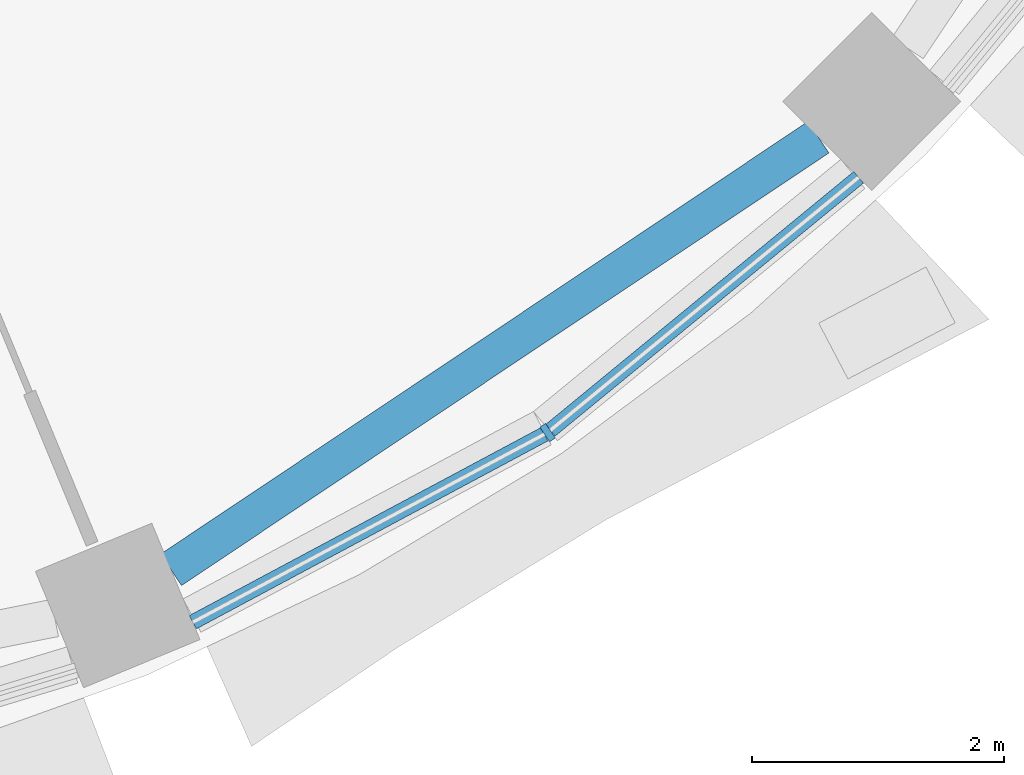
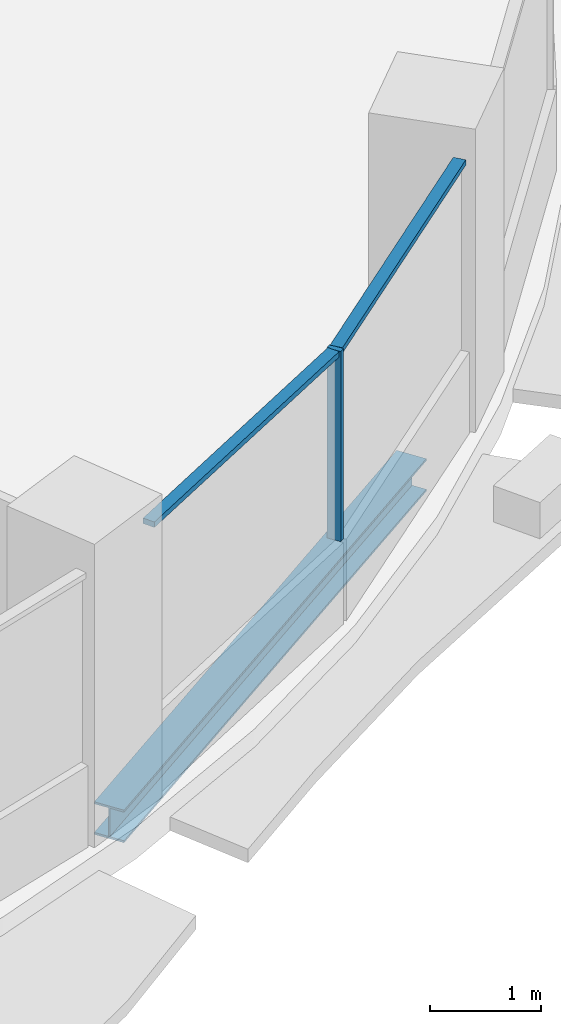
# One storey, part 3 of 15: 3 members, 1 beam, 1 element without a shape of its own.
"""IFC4 building model written with IfcOpenShell, lengths in metres."""

from ifc_helpers import new_model, si_unit, direction, frame, origin, origin_2d, place, context, subcontext, project, spatial, rectangle, i_section, extrude, material, material_profile, profile_set, type_object, element, aggregate, save


model = new_model("IFC4")

# Units and contexts
model_context = context("Model", 3, precision=1e-05, world=origin(), true_north=direction((0.0, 1.0)))
body_context = subcontext(model_context, "Body", "Model", "MODEL_VIEW")
ifc_project = project(units=[si_unit("LENGTHUNIT", "METRE"), si_unit("AREAUNIT", "SQUARE_METRE"), si_unit("VOLUMEUNIT", "CUBIC_METRE"), si_unit("PLANEANGLEUNIT", "RADIAN"), si_unit("MASSUNIT", "GRAM", prefix="KILO")], contexts=[model_context])

# Site, building, storey
site_placement = place(None, origin())
site = spatial("IfcSite", under=ifc_project, at=site_placement, CompositionType="ELEMENT")
building_placement = place(site_placement, origin())
building = spatial("IfcBuilding", under=site, at=building_placement, Name="Polderwave Tower", CompositionType="ELEMENT")
storey_placement = place(building_placement, frame((0.0, 0.0, 127.64990234375)))
storey = spatial("IfcBuildingStorey", under=building, at=storey_placement, Name="L33", CompositionType="ELEMENT", Elevation=127.64990234375)

# Curtain wall, members
ifc_material_1 = material(Name="Aluminium 6063-T6 and glass", Category="aluminium")
curtain_wall_type = type_object("IfcCurtainWallType", Name="Office ribbon glazing wall", PredefinedType="NOTDEFINED", material=ifc_material_1)
curtain_wall_placement = place(storey_placement, origin())
curtain_wall = element("IfcCurtainWall", 1, at=curtain_wall_placement, inside=storey, type_object=curtain_wall_type, Name="CW3 L33 13", PredefinedType="NOTDEFINED")
ifc_material_2 = material(Name="Aluminium 6063-T6", Category="aluminium")
ifc_material_profile_1 = material_profile(ifc_material_2, rectangle(XDim=0.139892578125, YDim=0.054931640625, at=origin_2d()), Name="AL 55x140")
ifc_profile_set_1 = profile_set([ifc_material_profile_1], Name="Aluminium 6063-T6")
member_type_1 = type_object("IfcMemberType", Name="Office ribbon glazing mullion 55x140", PredefinedType="MULLION", material=ifc_profile_set_1)
member_1_placement = place(storey_placement, frame((10.47802734375, -15.681884765625, 0.900146484375), z_axis=(0.0, 0.0, 1.0), x_axis=(-0.555594902975, 0.831453127836, 0.0)))
member_1 = element("IfcMember", 2, at=member_1_placement, type_object=member_type_1, Name="CW3 mullion 1", PredefinedType="MULLION", context=body_context, shape_type="SweptSolid", body=[
    extrude(rectangle(XDim=0.139892578125, YDim=0.054931640625, at=origin_2d()), origin(), (0.0, 0.0, 1.0), 2.099853515625),
])
ifc_material_profile_2 = material_profile(ifc_material_2, rectangle(XDim=0.1201171875, YDim=0.06005859375, at=origin_2d()), Name="AL 60x120")
ifc_profile_set_2 = profile_set([ifc_material_profile_2], Name="Aluminium 6063-T6")
member_type_2 = type_object("IfcMemberType", Name="Office ribbon glazing transom 60x120", PredefinedType="USERDEFINED", material=ifc_profile_set_2)
member_2_placement = place(storey_placement, frame((7.660888671875, -17.18798828125, 2.97021484375), z_axis=(0.881897958208, 0.471440336956, 0.0), x_axis=(-0.471440336956, 0.881897958208, 0.0)))
member_2 = element("IfcMember", 3, at=member_2_placement, type_object=member_type_2, Name="CW3 transom 1", ObjectType="TRANSOM", PredefinedType="USERDEFINED", context=body_context, shape_type="SweptSolid", body=[
    extrude(rectangle(XDim=0.1201171875, YDim=0.06005859375, at=origin_2d()), origin(), (0.0, 0.0, 1.0), 3.166748046875),
])
member_3_placement = place(storey_placement, frame((10.499267578125, -15.66455078125, 2.97021484375), z_axis=(0.773025883871, 0.634374481569, 0.0), x_axis=(-0.634374481569, 0.773025883871, 0.0)))
member_3 = element("IfcMember", 4, at=member_3_placement, type_object=member_type_2, Name="CW3 transom 2", ObjectType="TRANSOM", PredefinedType="USERDEFINED", context=body_context, shape_type="SweptSolid", body=[
    extrude(rectangle(XDim=0.1201171875, YDim=0.06005859375, at=origin_2d()), origin(), (0.0, 0.0, 1.0), 3.167724609375),
])
aggregate(curtain_wall, [member_1, member_2, member_3])

# Beam
ifc_material_3 = material(Name="Steel S355", Category="steel")
ifc_material_profile_3 = material_profile(ifc_material_3, i_section(OverallWidth=0.300048828125, OverallDepth=0.360107421875, WebThickness=0.012451171875, FlangeThickness=0.0224609375, at=origin_2d()), Name="HE 360 B")
ifc_profile_set_3 = profile_set([ifc_material_profile_3], Name="Steel S355")
beam_type = type_object("IfcBeamType", Name="RING BEAM HE 360 B", PredefinedType="BEAM", material=ifc_profile_set_3)
beam_placement = place(storey_placement, frame((7.48828125, -16.771484375, -0.52978515625), z_axis=(0.831478837086, 0.555556426907, 0.0), x_axis=(-0.555556426907, 0.831478837086, 0.0)))
element("IfcBeam", 5, at=beam_placement, inside=storey, type_object=beam_type, Name="ST-RB-L33-13", PredefinedType="BEAM", context=body_context, shape_type="SweptSolid", body=[
    extrude(i_section(OverallWidth=0.300048828125, OverallDepth=0.360107421875, WebThickness=0.012451171875, FlangeThickness=0.0224609375, at=origin_2d()), origin(), (0.0, 0.0, 1.0), 6.18310546875),
])

save(model, "model.ifc")
